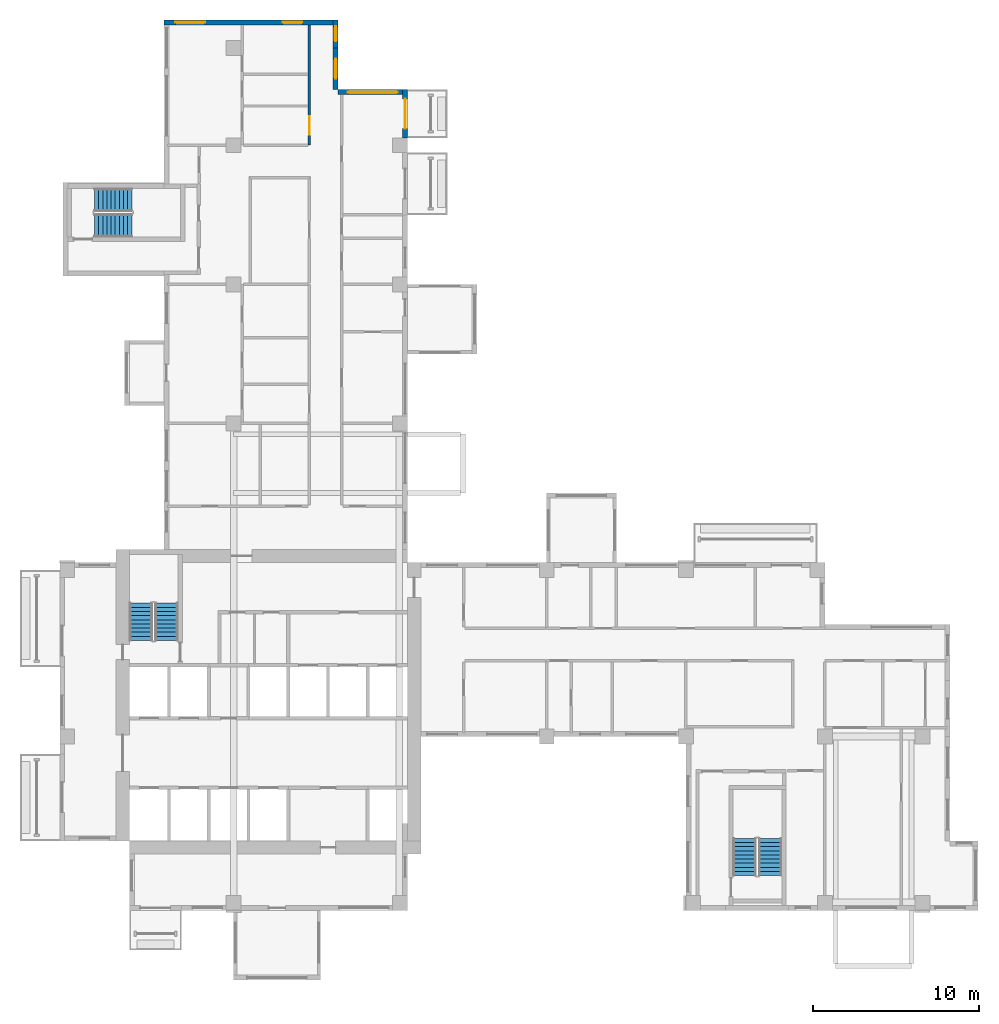
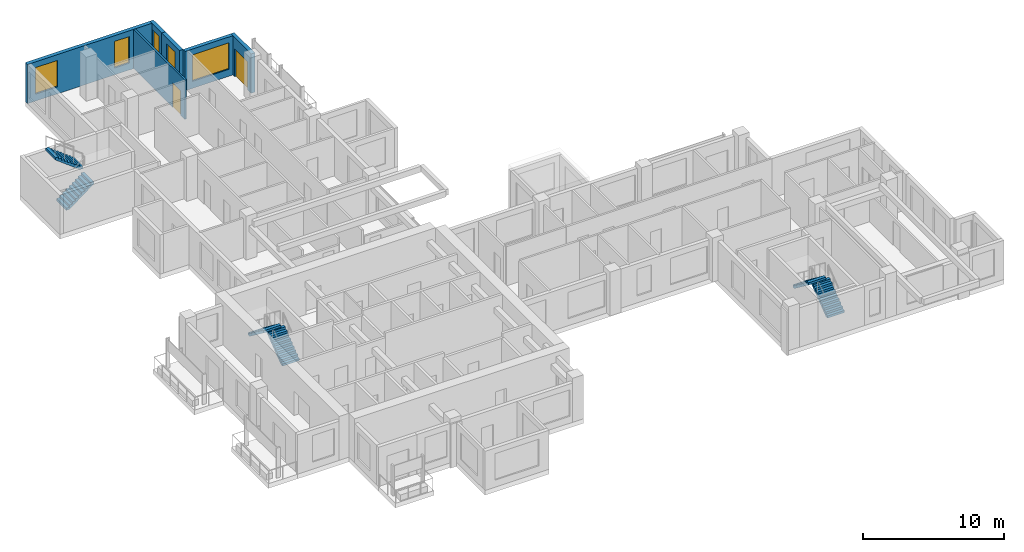
# One storey, part 8 of 11: 6 stair flights, 6 walls, 5 windows, 2 doors, 7 openings, 3 elements without a shape of their own.
"""IFC4 building model written with IfcOpenShell, lengths in metres."""

from ifc_helpers import new_model, si_unit, direction, frame, frame_2d, origin, place, context, subcontext, project, spatial, polyline, rectangle, outline, extrude, source, transform, mapped, material, layer, layer_set, type_object, element, fill, aggregate, save


model = new_model("IFC4")

# Units and contexts
model_context = context("Model", 3, precision=1e-05, world=origin(), true_north=direction((0.0, 1.0)))
body_context = subcontext(model_context, "Body", "Model", "MODEL_VIEW")
ifc_project = project(units=[si_unit("LENGTHUNIT", "METRE"), si_unit("AREAUNIT", "SQUARE_METRE"), si_unit("VOLUMEUNIT", "CUBIC_METRE"), si_unit("PLANEANGLEUNIT", "RADIAN"), si_unit("MASSUNIT", "GRAM", prefix="KILO")], contexts=[model_context])

# Site, building, storey
site_placement = place(None, origin())
site = spatial("IfcSite", under=ifc_project, at=site_placement, CompositionType="ELEMENT")
building_placement = place(site_placement, origin())
building = spatial("IfcBuilding", under=site, at=building_placement, Name="Aurelian Terraces", CompositionType="ELEMENT")
storey_placement = place(building_placement, frame((0.0, 0.0, 208.2)))
storey = spatial("IfcBuildingStorey", under=building, at=storey_placement, Name="L46", CompositionType="ELEMENT", Elevation=208.2)

# Wall, opening, door
ifc_material_1 = material(Name="Terracotta rainscreen cladding", Category="masonry")
ifc_layer_1 = layer(ifc_material_1, 0.3)
ifc_layer_set_1 = layer_set([ifc_layer_1], Name="EW-300")
wall_type_1 = type_object("IfcWallType", Name="EW-300", PredefinedType="STANDARD", material=ifc_layer_set_1)
shared_shape_1 = source(origin(), body_context, "Body", "SweptSolid", [
    extrude(rectangle(XDim=2.91, YDim=0.3, at=frame_2d((1.455, 0.0))), origin(), (0.0, 0.0, 1.0), 3.4),
])
wall_1_placement = place(storey_placement, frame((20.85, 46.65, 0.0), z_axis=(0.0, 0.0, 1.0), x_axis=(0.0, 1.0, 0.0)))
wall_1 = element("IfcWall", 1, at=wall_1_placement, inside=storey, type_object=wall_type_1, Name="External wall L46 F12.26", PredefinedType="STANDARD", context=body_context, shape_type="MappedRepresentation", body=[
    mapped(shared_shape_1, transform((0.0, 0.0, 0.0), scale=1.0)),
])
shared_shape_2 = source(origin(), body_context, "Body", "SweptSolid", [
    extrude(rectangle(XDim=1.8, YDim=2.4, at=frame_2d((0.9, 1.2))), frame((0.0, 0.16, 0.0), z_axis=(0.0, -1.0, 0.0), x_axis=(1.0, 0.0, 0.0)), (0.0, 0.0, 1.0), 0.32),
])
opening_1_placement = place(wall_1_placement, frame((0.555, 0.0, 0.0)))
opening_1 = element("IfcOpeningElement", 2, at=opening_1_placement, cuts=wall_1, Name="Opening 84604", PredefinedType="OPENING", context=body_context, shape_type="MappedRepresentation", body=[
    mapped(shared_shape_2, transform((0.0, 0.0, 0.0), scale=1.0)),
])
ifc_material_2 = material(Name="Clear glazing", Category="glass")
door_type_1 = type_object("IfcDoorType", Name="BD-1800x2400", OperationType="SLIDING_TO_LEFT", PredefinedType="DOOR", material=ifc_material_2)
shared_shape_3 = source(origin(), body_context, "Body", "SweptSolid", [
    extrude(rectangle(XDim=1.8, YDim=2.4, at=frame_2d((0.9, 1.2))), frame((0.0, 0.025, 0.0), z_axis=(0.0, -1.0, 0.0), x_axis=(1.0, 0.0, 0.0)), (0.0, 0.0, 1.0), 0.05),
])
door_1_placement = place(opening_1_placement, origin())
door_1 = element("IfcDoor", 3, at=door_1_placement, inside=storey, type_object=door_type_1, Name="Balcony door L46 F12.26", OperationType="SLIDING_TO_LEFT", OverallHeight=2.4, OverallWidth=1.8, PredefinedType="DOOR", context=body_context, shape_type="MappedRepresentation", body=[
    mapped(shared_shape_3, transform((0.0, 0.0, 0.0), scale=1.0)),
])
fill(opening_1, door_1)

# Wall, opening, window
shared_shape_4 = source(origin(), body_context, "Body", "SweptSolid", [
    extrude(rectangle(XDim=4.2, YDim=0.3, at=frame_2d((2.1, 0.0))), origin(), (0.0, 0.0, 1.0), 3.4),
])
wall_2_placement = place(storey_placement, frame((21.0, 49.41, 0.0), z_axis=(0.0, 0.0, 1.0), x_axis=(-1.0, 0.0, 0.0)))
wall_2 = element("IfcWall", 4, at=wall_2_placement, inside=storey, type_object=wall_type_1, Name="External wall L46 F13.27", PredefinedType="STANDARD", context=body_context, shape_type="MappedRepresentation", body=[
    mapped(shared_shape_4, transform((0.0, 0.0, 0.0), scale=1.0)),
])
shared_shape_5 = source(origin(), body_context, "Body", "SweptSolid", [
    extrude(rectangle(XDim=3.0, YDim=2.3, at=frame_2d((1.5, 1.15))), frame((0.0, 0.16, 0.0), z_axis=(0.0, -1.0, 0.0), x_axis=(1.0, 0.0, 0.0)), (0.0, 0.0, 1.0), 0.32),
])
opening_2_placement = place(wall_2_placement, frame((0.6, 0.0, 0.6)))
opening_2 = element("IfcOpeningElement", 5, at=opening_2_placement, cuts=wall_2, Name="Opening W3023", PredefinedType="OPENING", context=body_context, shape_type="MappedRepresentation", body=[
    mapped(shared_shape_5, transform((0.0, 0.0, 0.0), scale=1.0)),
])
window_type_1 = type_object("IfcWindowType", Name="W-3000x2300", PartitioningType="SINGLE_PANEL", PredefinedType="WINDOW", material=ifc_material_2)
shared_shape_6 = source(origin(), body_context, "Body", "SweptSolid", [
    extrude(rectangle(XDim=3.0, YDim=2.3, at=frame_2d((1.5, 1.15))), frame((0.0, 0.03, 0.0), z_axis=(0.0, -1.0, 0.0), x_axis=(1.0, 0.0, 0.0)), (0.0, 0.0, 1.0), 0.06),
])
window_1_placement = place(opening_2_placement, origin())
window_1 = element("IfcWindow", 6, at=window_1_placement, inside=storey, type_object=window_type_1, Name="Window L46 L46-F13-27-0", OverallHeight=2.3, OverallWidth=3.0, PartitioningType="SINGLE_PANEL", PredefinedType="WINDOW", context=body_context, shape_type="MappedRepresentation", body=[
    mapped(shared_shape_6, transform((0.0, 0.0, 0.0), scale=1.0)),
])
fill(opening_2, window_1)

shared_shape_7 = source(origin(), body_context, "Body", "SweptSolid", [
    extrude(rectangle(XDim=2.52, YDim=0.3, at=frame_2d((1.26, 0.0))), origin(), (0.0, 0.0, 1.0), 3.4),
])
wall_3_placement = place(storey_placement, frame((16.65, 49.56, 0.0), z_axis=(0.0, 0.0, 1.0), x_axis=(0.0, 1.0, 0.0)))
wall_3 = element("IfcWall", 7, at=wall_3_placement, inside=storey, type_object=wall_type_1, Name="External wall L46 F14.28", PredefinedType="STANDARD", context=body_context, shape_type="MappedRepresentation", body=[
    mapped(shared_shape_7, transform((0.0, 0.0, 0.0), scale=1.0)),
])
shared_shape_8 = source(origin(), body_context, "Body", "SweptSolid", [
    extrude(rectangle(XDim=1.2, YDim=2.3, at=frame_2d((0.6, 1.15))), frame((0.0, 0.16, 0.0), z_axis=(0.0, -1.0, 0.0), x_axis=(1.0, 0.0, 0.0)), (0.0, 0.0, 1.0), 0.32),
])
opening_3_placement = place(wall_3_placement, frame((0.66, 0.0, 0.6)))
opening_3 = element("IfcOpeningElement", 8, at=opening_3_placement, cuts=wall_3, Name="Opening W1223", PredefinedType="OPENING", context=body_context, shape_type="MappedRepresentation", body=[
    mapped(shared_shape_8, transform((0.0, 0.0, 0.0), scale=1.0)),
])
window_type_2 = type_object("IfcWindowType", Name="W-1200x2300", PartitioningType="SINGLE_PANEL", PredefinedType="WINDOW", material=ifc_material_2)
shared_shape_9 = source(origin(), body_context, "Body", "SweptSolid", [
    extrude(rectangle(XDim=1.2, YDim=2.3, at=frame_2d((0.6, 1.15))), frame((0.0, 0.03, 0.0), z_axis=(0.0, -1.0, 0.0), x_axis=(1.0, 0.0, 0.0)), (0.0, 0.0, 1.0), 0.06),
])
window_2_placement = place(opening_3_placement, origin())
window_2 = element("IfcWindow", 9, at=window_2_placement, inside=storey, type_object=window_type_2, Name="Window L46 L46-F14-28-0", OverallHeight=2.3, OverallWidth=1.2, PartitioningType="SINGLE_PANEL", PredefinedType="WINDOW", context=body_context, shape_type="MappedRepresentation", body=[
    mapped(shared_shape_9, transform((0.0, 0.0, 0.0), scale=1.0)),
])
fill(opening_3, window_2)

shared_shape_10 = source(origin(), body_context, "Body", "SweptSolid", [
    extrude(rectangle(XDim=1.68, YDim=0.3, at=frame_2d((0.84, 0.0))), origin(), (0.0, 0.0, 1.0), 3.4),
])
wall_4_placement = place(storey_placement, frame((16.65, 52.08, 0.0), z_axis=(0.0, 0.0, 1.0), x_axis=(0.0, 1.0, 0.0)))
wall_4 = element("IfcWall", 10, at=wall_4_placement, inside=storey, type_object=wall_type_1, Name="External wall L46 F14.29", PredefinedType="STANDARD", context=body_context, shape_type="MappedRepresentation", body=[
    mapped(shared_shape_10, transform((0.0, 0.0, 0.0), scale=1.0)),
])
shared_shape_11 = source(origin(), body_context, "Body", "SweptSolid", [
    extrude(rectangle(XDim=0.9, YDim=2.3, at=frame_2d((0.45, 1.15))), frame((0.0, 0.16, 0.0), z_axis=(0.0, -1.0, 0.0), x_axis=(1.0, 0.0, 0.0)), (0.0, 0.0, 1.0), 0.32),
])
opening_4_placement = place(wall_4_placement, frame((0.39, 0.0, 0.6)))
opening_4 = element("IfcOpeningElement", 11, at=opening_4_placement, cuts=wall_4, Name="Opening W0923", PredefinedType="OPENING", context=body_context, shape_type="MappedRepresentation", body=[
    mapped(shared_shape_11, transform((0.0, 0.0, 0.0), scale=1.0)),
])
window_type_3 = type_object("IfcWindowType", Name="W-900x2300", PartitioningType="SINGLE_PANEL", PredefinedType="WINDOW", material=ifc_material_2)
shared_shape_12 = source(origin(), body_context, "Body", "SweptSolid", [
    extrude(rectangle(XDim=0.9, YDim=2.3, at=frame_2d((0.45, 1.15))), frame((0.0, 0.03, 0.0), z_axis=(0.0, -1.0, 0.0), x_axis=(1.0, 0.0, 0.0)), (0.0, 0.0, 1.0), 0.06),
])
window_3_placement = place(opening_4_placement, origin())
window_3 = element("IfcWindow", 12, at=window_3_placement, inside=storey, type_object=window_type_3, Name="Window L46 L46-F14-29-P0", OverallHeight=2.3, OverallWidth=0.9, PartitioningType="SINGLE_PANEL", PredefinedType="WINDOW", context=body_context, shape_type="MappedRepresentation", body=[
    mapped(shared_shape_12, transform((0.0, 0.0, 0.0), scale=1.0)),
])
fill(opening_4, window_3)

# Wall, openings, windows
shared_shape_13 = source(origin(), body_context, "Body", "SweptSolid", [
    extrude(rectangle(XDim=10.5, YDim=0.3, at=frame_2d((5.25, 0.0))), origin(), (0.0, 0.0, 1.0), 3.4),
])
wall_5_placement = place(storey_placement, frame((16.8, 53.61, 0.0), z_axis=(0.0, 0.0, 1.0), x_axis=(-1.0, 0.0, 0.0)))
wall_5 = element("IfcWall", 13, at=wall_5_placement, inside=storey, type_object=wall_type_1, Name="External wall L46 F15.30", PredefinedType="STANDARD", context=body_context, shape_type="MappedRepresentation", body=[
    mapped(shared_shape_13, transform((0.0, 0.0, 0.0), scale=1.0)),
])
opening_5_placement = place(wall_5_placement, frame((2.15, 0.0, 0.6)))
opening_5 = element("IfcOpeningElement", 14, at=opening_5_placement, cuts=wall_5, Name="Opening W1223", PredefinedType="OPENING", context=body_context, shape_type="MappedRepresentation", body=[
    mapped(shared_shape_8, transform((0.0, 0.0, 0.0), scale=1.0)),
])
shared_shape_14 = source(origin(), body_context, "Body", "SweptSolid", [
    extrude(rectangle(XDim=1.8, YDim=2.3, at=frame_2d((0.9, 1.15))), frame((0.0, 0.16, 0.0), z_axis=(0.0, -1.0, 0.0), x_axis=(1.0, 0.0, 0.0)), (0.0, 0.0, 1.0), 0.32),
])
opening_6_placement = place(wall_5_placement, frame((8.025, 0.0, 0.6)))
opening_6 = element("IfcOpeningElement", 15, at=opening_6_placement, cuts=wall_5, Name="Opening W1823", PredefinedType="OPENING", context=body_context, shape_type="MappedRepresentation", body=[
    mapped(shared_shape_14, transform((0.0, 0.0, 0.0), scale=1.0)),
])
window_4_placement = place(opening_5_placement, origin())
window_4 = element("IfcWindow", 16, at=window_4_placement, inside=storey, type_object=window_type_2, Name="Window L46 L46-F15-30-0", OverallHeight=2.3, OverallWidth=1.2, PartitioningType="SINGLE_PANEL", PredefinedType="WINDOW", context=body_context, shape_type="MappedRepresentation", body=[
    mapped(shared_shape_9, transform((0.0, 0.0, 0.0), scale=1.0)),
])
fill(opening_5, window_4)
window_type_4 = type_object("IfcWindowType", Name="W-1800x2300", PartitioningType="SINGLE_PANEL", PredefinedType="WINDOW", material=ifc_material_2)
shared_shape_15 = source(origin(), body_context, "Body", "SweptSolid", [
    extrude(rectangle(XDim=1.8, YDim=2.3, at=frame_2d((0.9, 1.15))), frame((0.0, 0.03, 0.0), z_axis=(0.0, -1.0, 0.0), x_axis=(1.0, 0.0, 0.0)), (0.0, 0.0, 1.0), 0.06),
])
window_5_placement = place(opening_6_placement, origin())
window_5 = element("IfcWindow", 17, at=window_5_placement, inside=storey, type_object=window_type_4, Name="Window L46 L46-F15-30-2", OverallHeight=2.3, OverallWidth=1.8, PartitioningType="SINGLE_PANEL", PredefinedType="WINDOW", context=body_context, shape_type="MappedRepresentation", body=[
    mapped(shared_shape_15, transform((0.0, 0.0, 0.0), scale=1.0)),
])
fill(opening_6, window_5)

# Wall, opening, door
ifc_material_3 = material(Name="Gypsum board on steel studs", Category="steel")
ifc_layer_2 = layer(ifc_material_3, 0.15)
ifc_layer_set_2 = layer_set([ifc_layer_2], Name="Fire partition 150")
wall_type_2 = type_object("IfcWallType", Name="Fire partition 150", PredefinedType="PARTITIONING", material=ifc_layer_set_2)
shared_shape_16 = source(origin(), body_context, "Body", "SweptSolid", [
    extrude(rectangle(XDim=7.26, YDim=0.15, at=frame_2d((3.63, 0.0))), origin(), (0.0, 0.0, 1.0), 3.4),
])
wall_6_placement = place(storey_placement, frame((15.075, 46.2, 0.0), z_axis=(0.0, 0.0, 1.0), x_axis=(0.0, 1.0, 0.0)))
wall_6 = element("IfcWall", 18, at=wall_6_placement, inside=storey, type_object=wall_type_2, Name="Corridor wall", PredefinedType="PARTITIONING", context=body_context, shape_type="MappedRepresentation", body=[
    mapped(shared_shape_16, transform((0.0, 0.0, 0.0), scale=1.0)),
])
shared_shape_17 = source(origin(), body_context, "Body", "SweptSolid", [
    extrude(rectangle(XDim=1.1, YDim=2.1, at=frame_2d((0.55, 1.05))), frame((0.0, 0.085, 0.0), z_axis=(0.0, -1.0, 0.0), x_axis=(1.0, 0.0, 0.0)), (0.0, 0.0, 1.0), 0.17),
])
opening_7_placement = place(wall_6_placement, frame((0.634, 0.0, 0.0)))
opening_7 = element("IfcOpeningElement", 19, at=opening_7_placement, cuts=wall_6, Name="Opening 746025", PredefinedType="OPENING", context=body_context, shape_type="MappedRepresentation", body=[
    mapped(shared_shape_17, transform((0.0, 0.0, 0.0), scale=1.0)),
])
ifc_material_4 = material(Name="Steel door leaf", Category="steel")
door_type_2 = type_object("IfcDoorType", Name="Entrance fire door 1100x2100 left", OperationType="SINGLE_SWING_LEFT", PredefinedType="DOOR", material=ifc_material_4)
shared_shape_18 = source(origin(), body_context, "Body", "SweptSolid", [
    extrude(rectangle(XDim=1.1, YDim=2.1, at=frame_2d((0.55, 1.05))), frame((0.0, 0.025, 0.0), z_axis=(0.0, -1.0, 0.0), x_axis=(1.0, 0.0, 0.0)), (0.0, 0.0, 1.0), 0.05),
])
door_2_placement = place(opening_7_placement, origin())
door_2 = element("IfcDoor", 20, at=door_2_placement, inside=storey, type_object=door_type_2, Name="Door 746025", OperationType="SINGLE_SWING_LEFT", OverallHeight=2.1, OverallWidth=1.1, PredefinedType="DOOR", context=body_context, shape_type="MappedRepresentation", body=[
    mapped(shared_shape_18, transform((0.0, 0.0, 0.0), scale=1.0)),
])
fill(opening_7, door_2)

# Stair, stair flights
ifc_material_5 = material(Name="Concrete fc' 40 MPa", Category="concrete")
stair_type = type_object("IfcStairType", Name="Stair 1400", PredefinedType="HALF_TURN_STAIR", material=ifc_material_5)
stair_1_placement = place(storey_placement, origin())
stair_1 = element("IfcStair", 21, at=stair_1_placement, inside=storey, type_object=stair_type, Name="L46 S1", PredefinedType="HALF_TURN_STAIR")
stair_flight_type = type_object("IfcStairFlightType", Name="Stair flight 1400", PredefinedType="STRAIGHT", material=ifc_material_5)
shared_shape_19 = source(origin(), body_context, "Body", "SweptSolid", [
    extrude(outline(polyline([(0.0, 0.0), (0.0, 0.19), (0.25, 0.19), (0.25, 0.38), (0.5, 0.38), (0.5, 0.57), (0.75, 0.57), (0.75, 0.76), (1.0, 0.76), (1.0, 0.95), (1.25, 0.95), (1.25, 1.14), (1.5, 1.14), (1.5, 1.33), (1.75, 1.33), (1.75, 1.52), (2.0, 1.52), (2.0, 1.71), (2.25, 1.71), (2.25, 1.9), (2.25, 1.5216), (0.2479, 0.0), (0.0, 0.0)])), frame((0.0, 0.7, 0.0), z_axis=(0.0, -1.0, 0.0), x_axis=(1.0, 0.0, 0.0)), (0.0, 0.0, 1.0), 1.4),
])
stair_flight_1_placement = place(storey_placement, frame((6.45, 16.3, 2e-08), z_axis=(0.0, 0.0, 1.0), x_axis=(0.0, 1.0, 0.0)))
stair_flight_1 = element("IfcStairFlight", 22, at=stair_flight_1_placement, type_object=stair_flight_type, Name="S1 flight 1", NumberOfRisers=10, NumberOfTreads=9, PredefinedType="STRAIGHT", RiserHeight=0.19, TreadLength=0.25, context=body_context, shape_type="MappedRepresentation", body=[
    mapped(shared_shape_19, transform((0.0, 0.0, 0.0), scale=1.0)),
])
stair_flight_2_placement = place(storey_placement, frame((4.9, 18.55, 1.9000000200000058), z_axis=(0.0, 0.0, 1.0), x_axis=(0.0, -1.0, 0.0)))
stair_flight_2 = element("IfcStairFlight", 23, at=stair_flight_2_placement, type_object=stair_flight_type, Name="S1 flight 2", NumberOfRisers=10, NumberOfTreads=9, PredefinedType="STRAIGHT", RiserHeight=0.19, TreadLength=0.25, context=body_context, shape_type="MappedRepresentation", body=[
    mapped(shared_shape_19, transform((0.0, 0.0, 0.0), scale=1.0)),
])
aggregate(stair_1, [stair_flight_1, stair_flight_2])

stair_2_placement = place(storey_placement, origin())
stair_2 = element("IfcStair", 24, at=stair_2_placement, inside=storey, type_object=stair_type, Name="L46 S2", PredefinedType="HALF_TURN_STAIR")
stair_flight_3_placement = place(storey_placement, frame((42.9, 2.1, 2e-08), z_axis=(0.0, 0.0, 1.0), x_axis=(0.0, 1.0, 0.0)))
stair_flight_3 = element("IfcStairFlight", 25, at=stair_flight_3_placement, type_object=stair_flight_type, Name="S2 flight 1", NumberOfRisers=10, NumberOfTreads=9, PredefinedType="STRAIGHT", RiserHeight=0.19, TreadLength=0.25, context=body_context, shape_type="MappedRepresentation", body=[
    mapped(shared_shape_19, transform((0.0, 0.0, 0.0), scale=1.0)),
])
stair_flight_4_placement = place(storey_placement, frame((41.35, 4.35, 1.9000000200000058), z_axis=(0.0, 0.0, 1.0), x_axis=(0.0, -1.0, 0.0)))
stair_flight_4 = element("IfcStairFlight", 26, at=stair_flight_4_placement, type_object=stair_flight_type, Name="S2 flight 2", NumberOfRisers=10, NumberOfTreads=9, PredefinedType="STRAIGHT", RiserHeight=0.19, TreadLength=0.25, context=body_context, shape_type="MappedRepresentation", body=[
    mapped(shared_shape_19, transform((0.0, 0.0, 0.0), scale=1.0)),
])
aggregate(stair_2, [stair_flight_3, stair_flight_4])

stair_3_placement = place(storey_placement, origin())
stair_3 = element("IfcStair", 27, at=stair_3_placement, inside=storey, type_object=stair_type, Name="L46 S3", PredefinedType="HALF_TURN_STAIR")
stair_flight_5_placement = place(storey_placement, frame((2.1, 41.35, 2e-08), z_axis=(0.0, 0.0, 1.0), x_axis=(1.0, 0.0, 0.0)))
stair_flight_5 = element("IfcStairFlight", 28, at=stair_flight_5_placement, type_object=stair_flight_type, Name="S3 flight 1", NumberOfRisers=10, NumberOfTreads=9, PredefinedType="STRAIGHT", RiserHeight=0.19, TreadLength=0.25, context=body_context, shape_type="MappedRepresentation", body=[
    mapped(shared_shape_19, transform((0.0, 0.0, 0.0), scale=1.0)),
])
stair_flight_6_placement = place(storey_placement, frame((4.35, 42.9, 1.9000000200000058), z_axis=(0.0, 0.0, 1.0), x_axis=(-1.0, 0.0, 0.0)))
stair_flight_6 = element("IfcStairFlight", 29, at=stair_flight_6_placement, type_object=stair_flight_type, Name="S3 flight 2", NumberOfRisers=10, NumberOfTreads=9, PredefinedType="STRAIGHT", RiserHeight=0.19, TreadLength=0.25, context=body_context, shape_type="MappedRepresentation", body=[
    mapped(shared_shape_19, transform((0.0, 0.0, 0.0), scale=1.0)),
])
aggregate(stair_3, [stair_flight_5, stair_flight_6])

save(model, "model.ifc")
